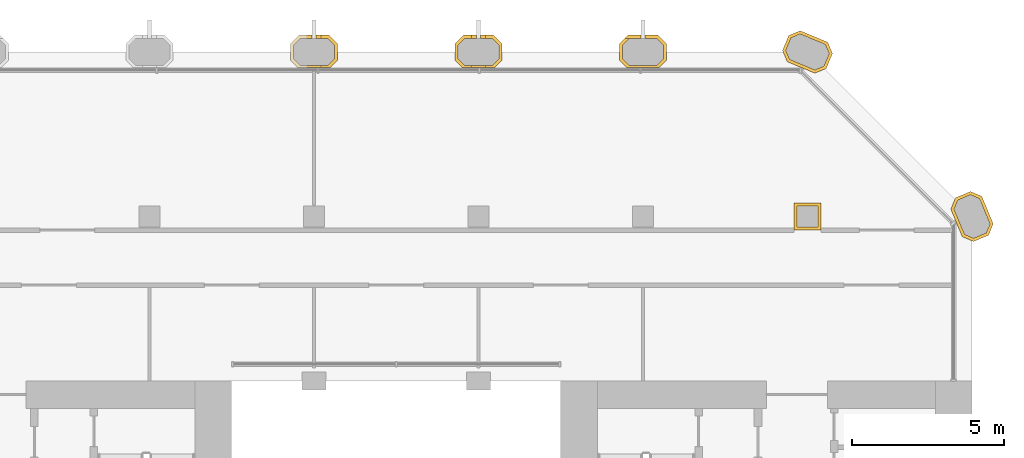
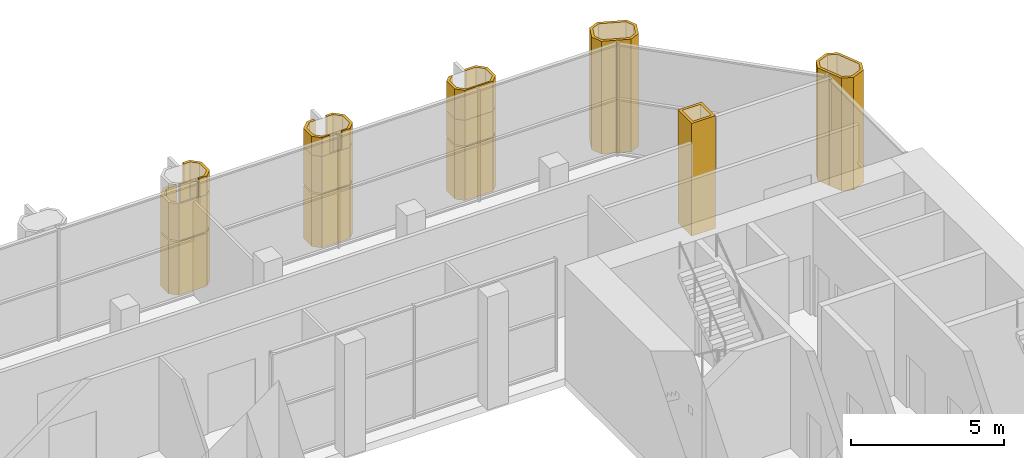
# One storey, part 14 of 14: 13 coverings.
"""IFC4 building model written with IfcOpenShell, lengths in metres."""

from ifc_helpers import new_model, si_unit, direction, frame, origin, place, context, subcontext, project, spatial, polyline, outline, extrude, material, layer, layer_set, type_object, element, save


model = new_model("IFC4")

# Units and contexts
model_context = context("Model", 3, precision=1e-05, world=origin(), true_north=direction((0.0, 1.0)))
body_context = subcontext(model_context, "Body", "Model", "MODEL_VIEW")
ifc_project = project(units=[si_unit("LENGTHUNIT", "METRE"), si_unit("AREAUNIT", "SQUARE_METRE"), si_unit("VOLUMEUNIT", "CUBIC_METRE"), si_unit("PLANEANGLEUNIT", "RADIAN"), si_unit("MASSUNIT", "GRAM", prefix="KILO")], contexts=[model_context])

# Site, building, storey
site_placement = place(None, origin())
site = spatial("IfcSite", under=ifc_project, at=site_placement, CompositionType="ELEMENT")
building_placement = place(site_placement, origin())
building = spatial("IfcBuilding", under=site, at=building_placement, Name="Tabaq Tower and Sports Hall", CompositionType="ELEMENT")
storey_placement = place(building_placement, frame((0.0, 0.0, 250.89990234375)))
storey = spatial("IfcBuildingStorey", under=building, at=storey_placement, Name="L61", CompositionType="ELEMENT", Elevation=250.89990234375)

# Coverings
ifc_material = material(Name="Precast concrete C60/75", Category="concrete")
ifc_layer = layer(ifc_material, 0.10009765625)
ifc_layer_set = layer_set([ifc_layer], Name="Column cladding 100")
covering_type = type_object("IfcCoveringType", Name="Column cladding 100", PredefinedType="CLADDING", material=ifc_layer_set)
covering_1_placement = place(storey_placement, frame((0.0, 0.0, 0.10009765625)))
element("IfcCovering", 1, at=covering_1_placement, inside=storey, type_object=covering_type, Name="Column cladding L61 PC-5I-S2", PredefinedType="CLADDING", context=body_context, shape_type="SweptSolid", body=[
    extrude(outline(polyline([(20.8251953125, 43.46630859375), (21.108642578125, 43.749755859375), (21.539794921875, 43.749755859375), (21.539794921875, 43.650390625), (21.14990234375, 43.650390625), (20.9248046875, 43.425048828125), (20.9248046875, 42.974853515625), (21.14990234375, 42.749755859375), (22.050048828125, 42.749755859375), (22.275390625, 42.974853515625), (22.275390625, 43.425048828125), (22.050048828125, 43.650390625), (21.660400390625, 43.650390625), (21.660400390625, 43.749755859375), (22.09130859375, 43.749755859375), (22.374755859375, 43.46630859375), (22.374755859375, 42.93359375), (22.13134765625, 42.690185546875), (21.068603515625, 42.690185546875), (20.8251953125, 42.93359375), (20.8251953125, 43.46630859375)])), origin(), (0.0, 0.0, 1.0), 2.1201171875),
])
covering_2_placement = place(storey_placement, frame((0.0, 0.0, 2.280029296875)))
element("IfcCovering", 2, at=covering_2_placement, inside=storey, type_object=covering_type, Name="Column cladding L61 PC-5I-S2 2", PredefinedType="CLADDING", context=body_context, shape_type="SweptSolid", body=[
    extrude(outline(polyline([(20.8251953125, 43.46630859375), (21.108642578125, 43.749755859375), (21.539794921875, 43.749755859375), (21.539794921875, 43.650390625), (21.14990234375, 43.650390625), (20.9248046875, 43.425048828125), (20.9248046875, 42.974853515625), (21.14990234375, 42.749755859375), (22.050048828125, 42.749755859375), (22.275390625, 42.974853515625), (22.275390625, 43.425048828125), (22.050048828125, 43.650390625), (21.660400390625, 43.650390625), (21.660400390625, 43.749755859375), (22.09130859375, 43.749755859375), (22.374755859375, 43.46630859375), (22.374755859375, 42.93359375), (22.13134765625, 42.690185546875), (21.068603515625, 42.690185546875), (20.8251953125, 42.93359375), (20.8251953125, 43.46630859375)])), origin(), (0.0, 0.0, 1.0), 1.469970703125),
])
covering_3_placement = place(storey_placement, frame((0.0, 0.0, 3.75)))
element("IfcCovering", 3, at=covering_3_placement, inside=storey, type_object=covering_type, Name="Column cladding L61 PC-5I-S2 head 2", PredefinedType="CLADDING", context=body_context, shape_type="SweptSolid", body=[
    extrude(outline(polyline([(22.050048828125, 42.749755859375), (22.275390625, 42.974853515625), (22.275390625, 43.425048828125), (22.050048828125, 43.650390625), (21.8251953125, 43.650390625), (21.8251953125, 43.749755859375), (22.09130859375, 43.749755859375), (22.374755859375, 43.46630859375), (22.374755859375, 42.93359375), (22.13134765625, 42.690185546875), (21.8251953125, 42.690185546875), (21.8251953125, 42.749755859375), (22.050048828125, 42.749755859375)])), origin(), (0.0, 0.0, 1.0), 0.75),
])
covering_4_placement = place(storey_placement, frame((0.0, 0.0, 0.10009765625)))
element("IfcCovering", 4, at=covering_4_placement, inside=storey, type_object=covering_type, Name="Column cladding L61 PC-6I-S2", PredefinedType="CLADDING", context=body_context, shape_type="SweptSolid", body=[
    extrude(outline(polyline([(26.225341796875, 43.46630859375), (26.5087890625, 43.749755859375), (26.939697265625, 43.749755859375), (26.939697265625, 43.650390625), (26.5498046875, 43.650390625), (26.32470703125, 43.425048828125), (26.32470703125, 42.974853515625), (26.5498046875, 42.749755859375), (27.4501953125, 42.749755859375), (27.67529296875, 42.974853515625), (27.67529296875, 43.425048828125), (27.4501953125, 43.650390625), (27.060302734375, 43.650390625), (27.060302734375, 43.749755859375), (27.4912109375, 43.749755859375), (27.774658203125, 43.46630859375), (27.774658203125, 42.93359375), (27.53125, 42.690185546875), (26.46875, 42.690185546875), (26.225341796875, 42.93359375), (26.225341796875, 43.46630859375)])), origin(), (0.0, 0.0, 1.0), 2.1201171875),
])
covering_5_placement = place(storey_placement, frame((0.0, 0.0, 2.280029296875)))
element("IfcCovering", 5, at=covering_5_placement, inside=storey, type_object=covering_type, Name="Column cladding L61 PC-6I-S2 2", PredefinedType="CLADDING", context=body_context, shape_type="SweptSolid", body=[
    extrude(outline(polyline([(26.225341796875, 43.46630859375), (26.5087890625, 43.749755859375), (26.939697265625, 43.749755859375), (26.939697265625, 43.650390625), (26.5498046875, 43.650390625), (26.32470703125, 43.425048828125), (26.32470703125, 42.974853515625), (26.5498046875, 42.749755859375), (27.4501953125, 42.749755859375), (27.67529296875, 42.974853515625), (27.67529296875, 43.425048828125), (27.4501953125, 43.650390625), (27.060302734375, 43.650390625), (27.060302734375, 43.749755859375), (27.4912109375, 43.749755859375), (27.774658203125, 43.46630859375), (27.774658203125, 42.93359375), (27.53125, 42.690185546875), (26.46875, 42.690185546875), (26.225341796875, 42.93359375), (26.225341796875, 43.46630859375)])), origin(), (0.0, 0.0, 1.0), 1.469970703125),
])
covering_6_placement = place(storey_placement, frame((0.0, 0.0, 3.75)))
element("IfcCovering", 6, at=covering_6_placement, inside=storey, type_object=covering_type, Name="Column cladding L61 PC-6I-S2 head", PredefinedType="CLADDING", context=body_context, shape_type="SweptSolid", body=[
    extrude(outline(polyline([(26.5087890625, 43.749755859375), (26.774658203125, 43.749755859375), (26.774658203125, 43.650390625), (26.5498046875, 43.650390625), (26.32470703125, 43.425048828125), (26.32470703125, 42.974853515625), (26.5498046875, 42.749755859375), (26.774658203125, 42.749755859375), (26.774658203125, 42.690185546875), (26.46875, 42.690185546875), (26.225341796875, 42.93359375), (26.225341796875, 43.46630859375), (26.5087890625, 43.749755859375)])), origin(), (0.0, 0.0, 1.0), 0.75),
])
covering_7_placement = place(storey_placement, frame((0.0, 0.0, 3.75)))
element("IfcCovering", 7, at=covering_7_placement, inside=storey, type_object=covering_type, Name="Column cladding L61 PC-6I-S2 head 2", PredefinedType="CLADDING", context=body_context, shape_type="SweptSolid", body=[
    extrude(outline(polyline([(27.4501953125, 42.749755859375), (27.67529296875, 42.974853515625), (27.67529296875, 43.425048828125), (27.4501953125, 43.650390625), (27.225341796875, 43.650390625), (27.225341796875, 43.749755859375), (27.4912109375, 43.749755859375), (27.774658203125, 43.46630859375), (27.774658203125, 42.93359375), (27.53125, 42.690185546875), (27.225341796875, 42.690185546875), (27.225341796875, 42.749755859375), (27.4501953125, 42.749755859375)])), origin(), (0.0, 0.0, 1.0), 0.75),
])
covering_8_placement = place(storey_placement, frame((0.0, 0.0, 0.10009765625)))
element("IfcCovering", 8, at=covering_8_placement, inside=storey, type_object=covering_type, Name="Column cladding L61 PC-7I-S2", PredefinedType="CLADDING", context=body_context, shape_type="SweptSolid", body=[
    extrude(outline(polyline([(31.625244140625, 43.46630859375), (31.90869140625, 43.749755859375), (32.339599609375, 43.749755859375), (32.339599609375, 43.650390625), (31.949951171875, 43.650390625), (31.724609375, 43.425048828125), (31.724609375, 42.974853515625), (31.949951171875, 42.749755859375), (32.85009765625, 42.749755859375), (33.0751953125, 42.974853515625), (33.0751953125, 43.425048828125), (32.85009765625, 43.650390625), (32.460205078125, 43.650390625), (32.460205078125, 43.749755859375), (32.891357421875, 43.749755859375), (33.1748046875, 43.46630859375), (33.1748046875, 42.93359375), (32.931396484375, 42.690185546875), (31.86865234375, 42.690185546875), (31.625244140625, 42.93359375), (31.625244140625, 43.46630859375)])), origin(), (0.0, 0.0, 1.0), 2.1201171875),
])
covering_9_placement = place(storey_placement, frame((0.0, 0.0, 2.280029296875)))
element("IfcCovering", 9, at=covering_9_placement, inside=storey, type_object=covering_type, Name="Column cladding L61 PC-7I-S2 2", PredefinedType="CLADDING", context=body_context, shape_type="SweptSolid", body=[
    extrude(outline(polyline([(31.625244140625, 43.46630859375), (31.90869140625, 43.749755859375), (32.339599609375, 43.749755859375), (32.339599609375, 43.650390625), (31.949951171875, 43.650390625), (31.724609375, 43.425048828125), (31.724609375, 42.974853515625), (31.949951171875, 42.749755859375), (32.85009765625, 42.749755859375), (33.0751953125, 42.974853515625), (33.0751953125, 43.425048828125), (32.85009765625, 43.650390625), (32.460205078125, 43.650390625), (32.460205078125, 43.749755859375), (32.891357421875, 43.749755859375), (33.1748046875, 43.46630859375), (33.1748046875, 42.93359375), (32.931396484375, 42.690185546875), (31.86865234375, 42.690185546875), (31.625244140625, 42.93359375), (31.625244140625, 43.46630859375)])), origin(), (0.0, 0.0, 1.0), 1.02001953125),
])
covering_10_placement = place(storey_placement, frame((0.0, 0.0, 3.300048828125)))
element("IfcCovering", 10, at=covering_10_placement, inside=storey, type_object=covering_type, Name="Column cladding L61 PC-7I-S2 head", PredefinedType="CLADDING", context=body_context, shape_type="SweptSolid", body=[
    extrude(outline(polyline([(31.80859375, 43.649658203125), (31.94921875, 43.649658203125), (31.724609375, 43.425048828125), (31.724609375, 42.974853515625), (31.949951171875, 42.749755859375), (32.85009765625, 42.749755859375), (33.0751953125, 42.974853515625), (33.0751953125, 43.425048828125), (32.85009765625, 43.650390625), (32.460205078125, 43.650390625), (32.460205078125, 43.749755859375), (32.891357421875, 43.749755859375), (33.1748046875, 43.46630859375), (33.1748046875, 42.93359375), (32.931396484375, 42.690185546875), (31.86865234375, 42.690185546875), (31.625244140625, 42.93359375), (31.625244140625, 43.46630859375), (31.80859375, 43.649658203125)])), origin(), (0.0, 0.0, 1.0), 1.199951171875),
])
covering_11_placement = place(storey_placement, origin())
element("IfcCovering", 11, at=covering_11_placement, inside=storey, type_object=covering_type, Name="Column cladding L61 CC-8H-S2", PredefinedType="CLADDING", context=body_context, shape_type="SweptSolid", body=[
    extrude(outline(polyline([(37.350341796875, 38.249755859375), (38.249755859375, 38.249755859375), (38.249755859375, 37.350341796875), (37.350341796875, 37.350341796875), (37.350341796875, 38.249755859375)]), holes=[polyline([(38.150390625, 37.44970703125), (38.150390625, 38.150390625), (37.44970703125, 38.150390625), (37.44970703125, 37.44970703125), (38.150390625, 37.44970703125)])]), origin(), (0.0, 0.0, 1.0), 4.5),
])
covering_12_placement = place(storey_placement, origin())
element("IfcCovering", 12, at=covering_12_placement, inside=storey, type_object=covering_type, Name="Column cladding L61 PC-8I-S2", PredefinedType="CLADDING", context=body_context, shape_type="SweptSolid", body=[
    extrude(outline(polyline([(38.413818359375, 42.657470703125), (38.04345703125, 42.504150390625), (37.614013671875, 42.68212890625), (37.614013671875, 42.690185546875), (37.593994140625, 42.690185546875), (37.1357421875, 42.880126953125), (36.982421875, 43.25048828125), (37.186279296875, 43.742431640625), (37.556396484375, 43.895751953125), (38.46435546875, 43.519775390625), (38.61767578125, 43.149658203125), (38.413818359375, 42.657470703125)]), holes=[polyline([(37.26220703125, 43.66650390625), (37.08984375, 43.25048828125), (37.2119140625, 42.956298828125), (38.04345703125, 42.61181640625), (38.337646484375, 42.733642578125), (38.510009765625, 43.149658203125), (38.38818359375, 43.44384765625), (37.556396484375, 43.788330078125), (37.26220703125, 43.66650390625)])]), origin(), (0.0, 0.0, 1.0), 4.5),
])
covering_13_placement = place(storey_placement, origin())
element("IfcCovering", 13, at=covering_13_placement, inside=storey, type_object=covering_type, Name="Column cladding L61 PC-9H-S2", PredefinedType="CLADDING", context=body_context, shape_type="SweptSolid", body=[
    extrude(outline(polyline([(43.25048828125, 36.982421875), (42.880126953125, 37.1357421875), (42.690185546875, 37.593994140625), (42.690185546875, 37.614013671875), (42.68212890625, 37.614013671875), (42.504150390625, 38.04345703125), (42.657470703125, 38.413818359375), (43.149658203125, 38.61767578125), (43.519775390625, 38.46435546875), (43.895751953125, 37.556396484375), (43.742431640625, 37.186279296875), (43.25048828125, 36.982421875)]), holes=[polyline([(43.149658203125, 38.510009765625), (42.733642578125, 38.337646484375), (42.61181640625, 38.04345703125), (42.956298828125, 37.2119140625), (43.25048828125, 37.08984375), (43.66650390625, 37.26220703125), (43.788330078125, 37.556396484375), (43.44384765625, 38.38818359375), (43.149658203125, 38.510009765625)])]), origin(), (0.0, 0.0, 1.0), 4.5),
])

save(model, "model.ifc")
